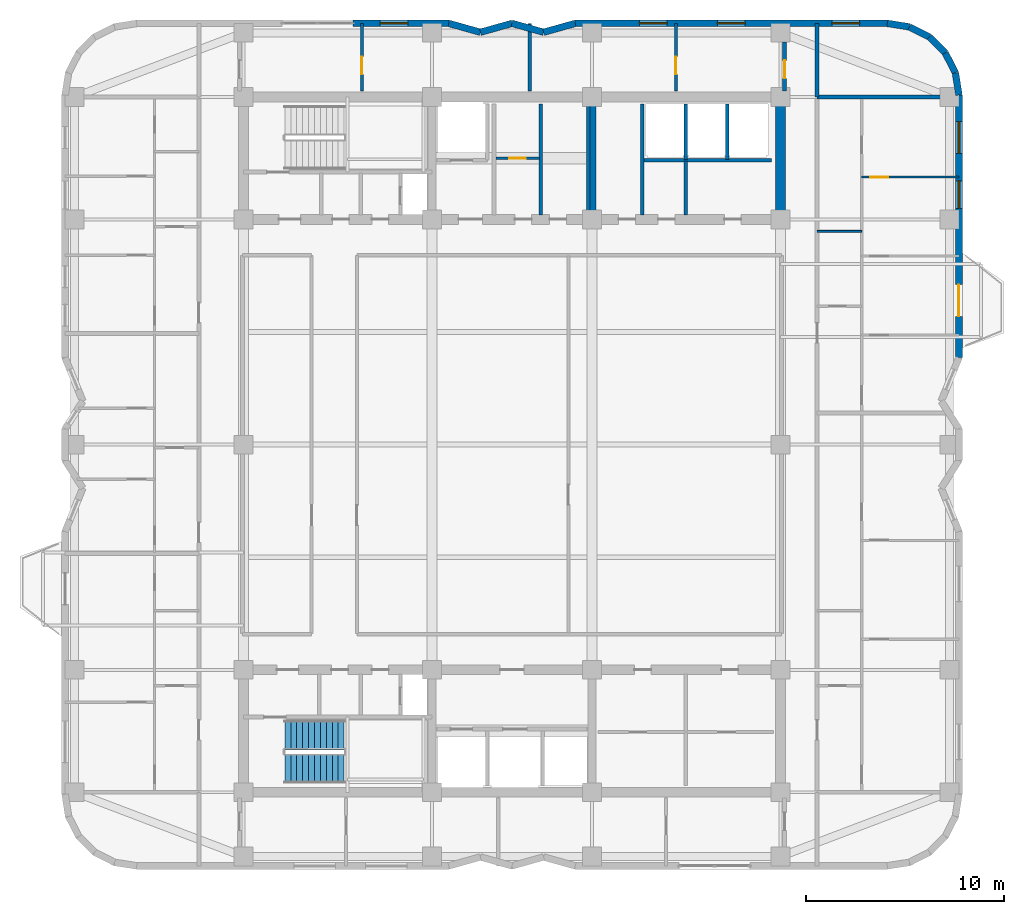
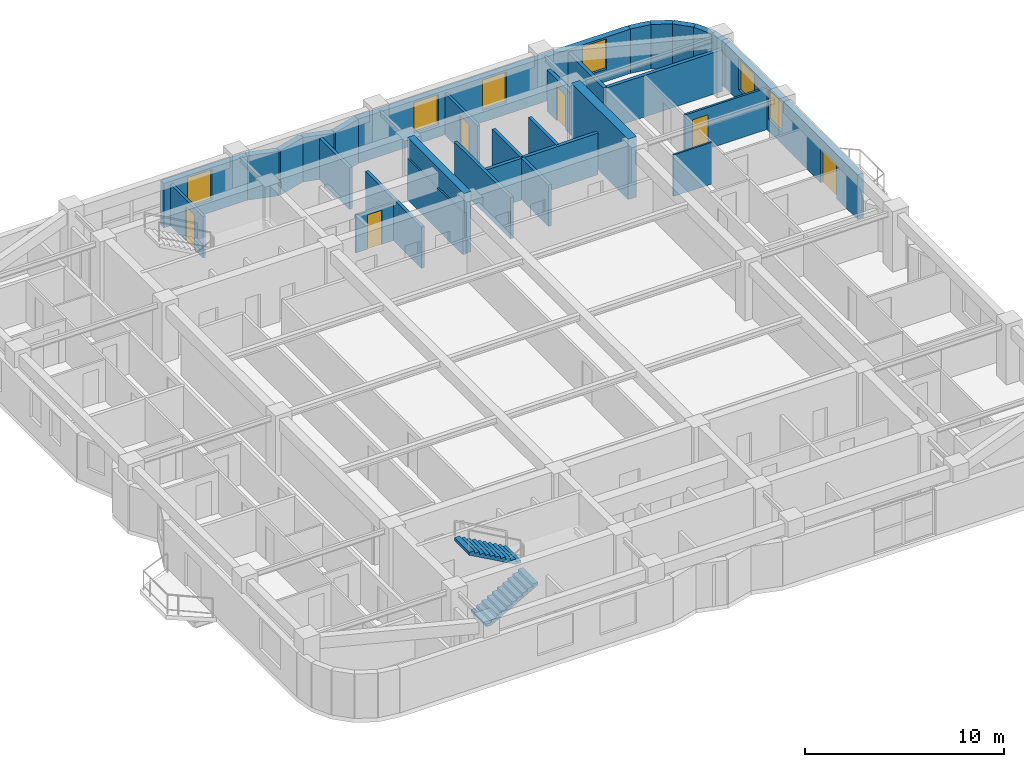
# One storey, part 9 of 12: 30 walls, 6 doors, 6 windows, 2 stair flights, 12 openings, 1 element without a shape of its own.
"""IFC4 building model written with IfcOpenShell, lengths in metres."""

from ifc_helpers import new_model, si_unit, direction, frame, frame_2d, origin, place, context, subcontext, project, spatial, polyline, rectangle, outline, extrude, material, layer, layer_set, type_object, element, fill, aggregate, save


model = new_model("IFC4")

# Units and contexts
model_context = context("Model", 3, precision=1e-05, world=origin(), true_north=direction((0.0, 1.0)))
body_context = subcontext(model_context, "Body", "Model", "MODEL_VIEW")
ifc_project = project(units=[si_unit("LENGTHUNIT", "METRE"), si_unit("AREAUNIT", "SQUARE_METRE"), si_unit("VOLUMEUNIT", "CUBIC_METRE"), si_unit("PLANEANGLEUNIT", "RADIAN"), si_unit("MASSUNIT", "GRAM", prefix="KILO")], contexts=[model_context])

# Site, building, storey
site_placement = place(None, origin())
site = spatial("IfcSite", under=ifc_project, at=site_placement, CompositionType="ELEMENT")
building_placement = place(site_placement, origin())
building = spatial("IfcBuilding", under=site, at=building_placement, Name="Svetorya Sky Lyceum", CompositionType="ELEMENT")
storey_placement = place(building_placement, frame((0.0, 0.0, 158.89990234375)))
storey = spatial("IfcBuildingStorey", under=building, at=storey_placement, Name="L39", CompositionType="ELEMENT", Elevation=158.89990234375)

# Walls
ifc_material_1 = material(Name="Concrete C40/50", Category="concrete")
ifc_layer_1 = layer(ifc_material_1, 0.39990234375)
ifc_layer_set_1 = layer_set([ifc_layer_1], Name="Concrete C40/50")
wall_type_1 = type_object("IfcWallType", Name="WL-CORE-400", PredefinedType="SHEAR", material=ifc_layer_set_1)
wall_1_placement = place(storey_placement, frame((43.25, 39.85009765625, 0.0), z_axis=(0.0, 0.0, 1.0), x_axis=(0.0, 1.0, 0.0)))
element("IfcWall", 1, at=wall_1_placement, inside=storey, type_object=wall_type_1, Name="L39 NC Internal Shear Web WEB2", PredefinedType="SHEAR", context=body_context, shape_type="SweptSolid", body=[
    extrude(rectangle(XDim=5.699951171875, YDim=0.39990234375, at=frame_2d((2.85009765625, 0.0))), origin(), (0.0, 0.0, 1.0), 3.7001953125),
])
ifc_material_2 = material(Name="Concrete C50/60", Category="concrete")
ifc_layer_2 = layer(ifc_material_2, 0.5)
ifc_layer_set_2 = layer_set([ifc_layer_2], Name="Concrete C50/60")
wall_type_2 = type_object("IfcWallType", Name="WL-CORE-500", PredefinedType="SHEAR", material=ifc_layer_set_2)
wall_2_placement = place(storey_placement, frame((52.800048828125, 39.85009765625, 0.0), z_axis=(0.0, 0.0, 1.0), x_axis=(0.0, 1.0, 0.0)))
element("IfcWall", 2, at=wall_2_placement, inside=storey, type_object=wall_type_2, Name="L39 NC East Core Shear Wall", PredefinedType="SHEAR", context=body_context, shape_type="SweptSolid", body=[
    extrude(rectangle(XDim=5.699951171875, YDim=0.5, at=frame_2d((2.85009765625, 0.0))), origin(), (0.0, 0.0, 1.0), 3.7001953125),
])

# Wall, openings, door, windows
ifc_material_3 = material(Name="Putilovo limestone rainscreen on autoclaved cellular masonry", Category="masonry")
ifc_layer_3 = layer(ifc_material_3, 0.340087890625)
ifc_layer_set_3 = layer_set([ifc_layer_3], Name="Putilovo limestone rainscreen on autoclaved cellular masonry")
wall_type_3 = type_object("IfcWallType", Name="WL-EXT-340", PredefinedType="SOLIDWALL", material=ifc_layer_set_3)
wall_3_placement = place(storey_placement, frame((61.830078125, 32.60009765625, 0.0), z_axis=(0.0, 0.0, 1.0), x_axis=(0.0, 1.0, 0.0)))
wall_3 = element("IfcWall", 3, at=wall_3_placement, inside=storey, type_object=wall_type_3, Name="L39 Limestone Exterior Wall 23M", PredefinedType="SOLIDWALL", context=body_context, shape_type="SweptSolid", body=[
    extrude(rectangle(XDim=13.2998046875, YDim=0.340087890625, at=frame_2d((6.64990234375, 0.0))), origin(), (0.0, 0.0, 1.0), 2.72021484375),
])
opening_1_placement = place(wall_3_placement, frame((2.10009765625, 0.0, 0.0)))
opening_1 = element("IfcOpeningElement", 4, at=opening_1_placement, cuts=wall_3, Name="Opening D-BL1", PredefinedType="OPENING", context=body_context, shape_type="SweptSolid", body=[
    extrude(rectangle(XDim=1.60009765625, YDim=2.10009765625, at=frame_2d((0.800048828125, 1.050048828125))), frame((0.0, 0.179931640625, 0.0), z_axis=(0.0, -1.0, 0.0), x_axis=(1.0, 0.0, 0.0)), (0.0, 0.0, 1.0), 0.360107421875),
])
opening_2_placement = place(wall_3_placement, frame((7.56005859375, 0.0, 0.7099609375)))
opening_2 = element("IfcOpeningElement", 5, at=opening_2_placement, cuts=wall_3, Name="Opening W-R2", PredefinedType="OPENING", context=body_context, shape_type="SweptSolid", body=[
    extrude(rectangle(XDim=1.39990234375, YDim=1.85009765625, at=frame_2d((0.699951171875, 0.925048828125))), frame((0.0, 0.179931640625, 0.0), z_axis=(0.0, -1.0, 0.0), x_axis=(1.0, 0.0, 0.0)), (0.0, 0.0, 1.0), 0.360107421875),
])
opening_3_placement = place(wall_3_placement, frame((10.35009765625, 0.0, 0.699951171875)))
opening_3 = element("IfcOpeningElement", 6, at=opening_3_placement, cuts=wall_3, Name="Opening W-R4", PredefinedType="OPENING", context=body_context, shape_type="SweptSolid", body=[
    extrude(rectangle(XDim=1.60009765625, YDim=1.89990234375, at=frame_2d((0.800048828125, 0.949951171875))), frame((0.0, 0.179931640625, 0.0), z_axis=(0.0, -1.0, 0.0), x_axis=(1.0, 0.0, 0.0)), (0.0, 0.0, 1.0), 0.360107421875),
])
ifc_material_4 = material(Name="Insulated glazed aluminium balcony door", Category="aluminium")
door_type_1 = type_object("IfcDoorType", Name="DR-BAL-1600", OperationType="DOUBLE_DOOR_SINGLE_SWING", PredefinedType="DOOR", material=ifc_material_4)
door_1_placement = place(opening_1_placement, origin())
door_1 = element("IfcDoor", 7, at=door_1_placement, inside=storey, type_object=door_type_1, Name="L39 Balcony BAL-E1 Door", OperationType="DOUBLE_DOOR_SINGLE_SWING", OverallHeight=2.10009765625, OverallWidth=1.60009765625, PredefinedType="DOOR", context=body_context, shape_type="SweptSolid", body=[
    extrude(rectangle(XDim=1.60009765625, YDim=2.10009765625, at=frame_2d((0.800048828125, 1.050048828125))), frame((0.0, 0.02490234375, 0.0), z_axis=(0.0, -1.0, 0.0), x_axis=(1.0, 0.0, 0.0)), (0.0, 0.0, 1.0), 0.050048828125),
])
fill(opening_1, door_1)
ifc_material_5 = material(Name="Thermally broken aluminium frame with triple low-E glazing", Category="aluminium")
window_type_1 = type_object("IfcWindowType", Name="WN-RES-140", PartitioningType="SINGLE_PANEL", PredefinedType="WINDOW", material=ifc_material_5)
window_1_placement = place(opening_2_placement, origin())
window_1 = element("IfcWindow", 8, at=window_1_placement, inside=storey, type_object=window_type_1, Name="L39 Facade Window W-R2.23M.2", OverallHeight=1.85009765625, OverallWidth=1.39990234375, PartitioningType="SINGLE_PANEL", PredefinedType="WINDOW", context=body_context, shape_type="SweptSolid", body=[
    extrude(rectangle(XDim=1.39990234375, YDim=1.85009765625, at=frame_2d((0.699951171875, 0.925048828125))), frame((0.0, 0.030029296875, 0.0), z_axis=(0.0, -1.0, 0.0), x_axis=(1.0, 0.0, 0.0)), (0.0, 0.0, 1.0), 0.06005859375),
])
fill(opening_2, window_1)
window_type_2 = type_object("IfcWindowType", Name="WN-RES-160", PartitioningType="DOUBLE_PANEL_VERTICAL", PredefinedType="WINDOW", material=ifc_material_5)
window_2_placement = place(opening_3_placement, origin())
window_2 = element("IfcWindow", 9, at=window_2_placement, inside=storey, type_object=window_type_2, Name="L39 Facade Window W-R4.23M.1", OverallHeight=1.89990234375, OverallWidth=1.60009765625, PartitioningType="SINGLE_PANEL", PredefinedType="WINDOW", context=body_context, shape_type="SweptSolid", body=[
    extrude(rectangle(XDim=1.60009765625, YDim=1.89990234375, at=frame_2d((0.800048828125, 0.949951171875))), frame((0.0, 0.030029296875, 0.0), z_axis=(0.0, -1.0, 0.0), x_axis=(1.0, 0.0, 0.0)), (0.0, 0.0, 1.0), 0.06005859375),
])
fill(opening_3, window_2)

# Walls
for number, where, z_axis, x_axis, name in (
    (10, (61.830078125, 45.89990234375, 0.0), (0.0, 0.0, 1.0), (-0.156481329164, 0.987680916907, 0.0), "L39 Limestone Exterior Wall 24M"),
    (11, (61.65234375, 47.021728515625, 0.0), (0.0, 0.0, 1.0), (-0.453993402883, 0.891005044957, 0.0), "L39 Limestone Exterior Wall 25M"),
):
    element("IfcWall", number, at=place(storey_placement, frame(where, z_axis=z_axis, x_axis=x_axis)), inside=storey, type_object=wall_type_3, Name=name, PredefinedType="SOLIDWALL", context=body_context, shape_type="SweptSolid", body=[
        extrude(rectangle(XDim=1.1357421875, YDim=0.340087890625, at=frame_2d((0.56787109375, 0.0))), origin(), (0.0, 0.0, 1.0), 2.72021484375),
    ])
wall_4_placement = place(storey_placement, frame((61.13671875, 48.03369140625, 0.0), z_axis=(0.0, 0.0, 1.0), x_axis=(-0.707106781187, 0.707106781187, 0.0)))
element("IfcWall", 12, at=wall_4_placement, inside=storey, type_object=wall_type_3, Name="L39 Limestone Exterior Wall 26M", PredefinedType="SOLIDWALL", context=body_context, shape_type="SweptSolid", body=[
    extrude(rectangle(XDim=1.135498046875, YDim=0.340087890625, at=frame_2d((0.56787109375, 0.0))), origin(), (0.0, 0.0, 1.0), 2.72021484375),
])
for number, where, z_axis, x_axis, name in (
    (13, (60.333740234375, 48.836669921875, 0.0), (0.0, 0.0, 1.0), (-0.891005044957, 0.453993402883, 0.0), "L39 Limestone Exterior Wall 27M"),
    (14, (59.32177734375, 49.352294921875, 0.0), (0.0, 0.0, 1.0), (-0.987680916907, 0.156481329164, 0.0), "L39 Limestone Exterior Wall 28M"),
):
    element("IfcWall", number, at=place(storey_placement, frame(where, z_axis=z_axis, x_axis=x_axis)), inside=storey, type_object=wall_type_3, Name=name, PredefinedType="SOLIDWALL", context=body_context, shape_type="SweptSolid", body=[
        extrude(rectangle(XDim=1.1357421875, YDim=0.340087890625, at=frame_2d((0.56787109375, 0.0))), origin(), (0.0, 0.0, 1.0), 2.72021484375),
    ])

# Wall, openings, windows
wall_5_placement = place(storey_placement, frame((58.199951171875, 49.530029296875, 0.0), z_axis=(0.0, 0.0, 1.0), x_axis=(-1.0, 0.0, 0.0)))
wall_5 = element("IfcWall", 15, at=wall_5_placement, inside=storey, type_object=wall_type_3, Name="L39 Limestone Exterior Wall 29M", PredefinedType="SOLIDWALL", context=body_context, shape_type="SweptSolid", body=[
    extrude(rectangle(XDim=15.800048828125, YDim=0.340087890625, at=frame_2d((7.89990234375, 0.0))), origin(), (0.0, 0.0, 1.0), 2.72021484375),
])
opening_4_placement = place(wall_5_placement, frame((1.39990234375, 0.0, 0.75)))
opening_4 = element("IfcOpeningElement", 16, at=opening_4_placement, cuts=wall_5, Name="Opening W-R2", PredefinedType="OPENING", context=body_context, shape_type="SweptSolid", body=[
    extrude(rectangle(XDim=1.39990234375, YDim=1.85009765625, at=frame_2d((0.699951171875, 0.925048828125))), frame((0.0, 0.179931640625, 0.0), z_axis=(0.0, -1.0, 0.0), x_axis=(1.0, 0.0, 0.0)), (0.0, 0.0, 1.0), 0.360107421875),
])
opening_5_placement = place(wall_5_placement, frame((7.199951171875, 0.0, 0.75)))
opening_5 = element("IfcOpeningElement", 17, at=opening_5_placement, cuts=wall_5, Name="Opening W-R2", PredefinedType="OPENING", context=body_context, shape_type="SweptSolid", body=[
    extrude(rectangle(XDim=1.39990234375, YDim=1.85009765625, at=frame_2d((0.699951171875, 0.925048828125))), frame((0.0, 0.179931640625, 0.0), z_axis=(0.0, -1.0, 0.0), x_axis=(1.0, 0.0, 0.0)), (0.0, 0.0, 1.0), 0.360107421875),
])
opening_6_placement = place(wall_5_placement, frame((11.14990234375, 0.0, 0.75)))
opening_6 = element("IfcOpeningElement", 18, at=opening_6_placement, cuts=wall_5, Name="Opening W-R2", PredefinedType="OPENING", context=body_context, shape_type="SweptSolid", body=[
    extrude(rectangle(XDim=1.39990234375, YDim=1.85009765625, at=frame_2d((0.699951171875, 0.925048828125))), frame((0.0, 0.179931640625, 0.0), z_axis=(0.0, -1.0, 0.0), x_axis=(1.0, 0.0, 0.0)), (0.0, 0.0, 1.0), 0.360107421875),
])
window_3_placement = place(opening_4_placement, origin())
window_3 = element("IfcWindow", 19, at=window_3_placement, inside=storey, type_object=window_type_1, Name="L39 Facade Window W-R2.29M.1", OverallHeight=1.85009765625, OverallWidth=1.39990234375, PartitioningType="SINGLE_PANEL", PredefinedType="WINDOW", context=body_context, shape_type="SweptSolid", body=[
    extrude(rectangle(XDim=1.39990234375, YDim=1.85009765625, at=frame_2d((0.699951171875, 0.925048828125))), frame((0.0, 0.030029296875, 0.0), z_axis=(0.0, -1.0, 0.0), x_axis=(1.0, 0.0, 0.0)), (0.0, 0.0, 1.0), 0.06005859375),
])
fill(opening_4, window_3)
window_4_placement = place(opening_5_placement, origin())
window_4 = element("IfcWindow", 20, at=window_4_placement, inside=storey, type_object=window_type_1, Name="L39 Facade Window W-R2.29M.2", OverallHeight=1.85009765625, OverallWidth=1.39990234375, PartitioningType="SINGLE_PANEL", PredefinedType="WINDOW", context=body_context, shape_type="SweptSolid", body=[
    extrude(rectangle(XDim=1.39990234375, YDim=1.85009765625, at=frame_2d((0.699951171875, 0.925048828125))), frame((0.0, 0.030029296875, 0.0), z_axis=(0.0, -1.0, 0.0), x_axis=(1.0, 0.0, 0.0)), (0.0, 0.0, 1.0), 0.06005859375),
])
fill(opening_5, window_4)
window_5_placement = place(opening_6_placement, origin())
window_5 = element("IfcWindow", 21, at=window_5_placement, inside=storey, type_object=window_type_1, Name="L39 Facade Window W-R2.29M.3", OverallHeight=1.85009765625, OverallWidth=1.39990234375, PartitioningType="SINGLE_PANEL", PredefinedType="WINDOW", context=body_context, shape_type="SweptSolid", body=[
    extrude(rectangle(XDim=1.39990234375, YDim=1.85009765625, at=frame_2d((0.699951171875, 0.925048828125))), frame((0.0, 0.030029296875, 0.0), z_axis=(0.0, -1.0, 0.0), x_axis=(1.0, 0.0, 0.0)), (0.0, 0.0, 1.0), 0.06005859375),
])
fill(opening_6, window_5)

# Walls
wall_6_placement = place(storey_placement, frame((42.39990234375, 49.530029296875, 0.0), z_axis=(0.0, 0.0, 1.0), x_axis=(-0.962652136636, -0.270741322725, 0.0)))
element("IfcWall", 22, at=wall_6_placement, inside=storey, type_object=wall_type_3, Name="L39 Limestone Exterior Wall 30M", PredefinedType="SOLIDWALL", context=body_context, shape_type="SweptSolid", body=[
    extrude(rectangle(XDim=1.661865234375, YDim=0.340087890625, at=frame_2d((0.8310546875, 0.0))), origin(), (0.0, 0.0, 1.0), 2.72021484375),
])
wall_7_placement = place(storey_placement, frame((40.800048828125, 49.080078125, 0.0), z_axis=(0.0, 0.0, 1.0), x_axis=(-0.962662902433, 0.270703040766, 0.0)))
element("IfcWall", 23, at=wall_7_placement, inside=storey, type_object=wall_type_3, Name="L39 Limestone Exterior Wall 31M", PredefinedType="SOLIDWALL", context=body_context, shape_type="SweptSolid", body=[
    extrude(rectangle(XDim=1.662109375, YDim=0.340087890625, at=frame_2d((0.8310546875, 0.0))), origin(), (0.0, 0.0, 1.0), 2.72021484375),
])
wall_8_placement = place(storey_placement, frame((39.199951171875, 49.530029296875, 0.0), z_axis=(0.0, 0.0, 1.0), x_axis=(-0.962652136636, -0.270741322725, 0.0)))
element("IfcWall", 24, at=wall_8_placement, inside=storey, type_object=wall_type_3, Name="L39 Limestone Exterior Wall 32M", PredefinedType="SOLIDWALL", context=body_context, shape_type="SweptSolid", body=[
    extrude(rectangle(XDim=1.661865234375, YDim=0.340087890625, at=frame_2d((0.8310546875, 0.0))), origin(), (0.0, 0.0, 1.0), 2.72021484375),
])
wall_9_placement = place(storey_placement, frame((37.60009765625, 49.080078125, 0.0), z_axis=(0.0, 0.0, 1.0), x_axis=(-0.962662902433, 0.270703040766, 0.0)))
element("IfcWall", 25, at=wall_9_placement, inside=storey, type_object=wall_type_3, Name="L39 Limestone Exterior Wall 33M", PredefinedType="SOLIDWALL", context=body_context, shape_type="SweptSolid", body=[
    extrude(rectangle(XDim=1.662109375, YDim=0.340087890625, at=frame_2d((0.8310546875, 0.0))), origin(), (0.0, 0.0, 1.0), 2.72021484375),
])

# Wall, opening, window
wall_10_placement = place(storey_placement, frame((36.0, 49.530029296875, 0.0), z_axis=(0.0, 0.0, 1.0), x_axis=(-1.0, 0.0, 0.0)))
wall_10 = element("IfcWall", 26, at=wall_10_placement, inside=storey, type_object=wall_type_3, Name="L39 Limestone Exterior Wall 34A", PredefinedType="SOLIDWALL", context=body_context, shape_type="SweptSolid", body=[
    extrude(rectangle(XDim=4.85009765625, YDim=0.340087890625, at=frame_2d((2.425048828125, 0.0))), origin(), (0.0, 0.0, 1.0), 2.72021484375),
])
opening_7_placement = place(wall_10_placement, frame((2.074951171875, 0.0, 0.75)))
opening_7 = element("IfcOpeningElement", 27, at=opening_7_placement, cuts=wall_10, Name="Opening W-R2", PredefinedType="OPENING", context=body_context, shape_type="SweptSolid", body=[
    extrude(rectangle(XDim=1.39990234375, YDim=1.85009765625, at=frame_2d((0.699951171875, 0.925048828125))), frame((0.0, 0.179931640625, 0.0), z_axis=(0.0, -1.0, 0.0), x_axis=(1.0, 0.0, 0.0)), (0.0, 0.0, 1.0), 0.360107421875),
])
window_6_placement = place(opening_7_placement, origin())
window_6 = element("IfcWindow", 28, at=window_6_placement, inside=storey, type_object=window_type_1, Name="L39 Facade Window W-R2.34A.1", OverallHeight=1.85009765625, OverallWidth=1.39990234375, PartitioningType="SINGLE_PANEL", PredefinedType="WINDOW", context=body_context, shape_type="SweptSolid", body=[
    extrude(rectangle(XDim=1.39990234375, YDim=1.85009765625, at=frame_2d((0.699951171875, 0.925048828125))), frame((0.0, 0.030029296875, 0.0), z_axis=(0.0, -1.0, 0.0), x_axis=(1.0, 0.0, 0.0)), (0.0, 0.0, 1.0), 0.06005859375),
])
fill(opening_7, window_6)

# Wall
ifc_material_6 = material(Name="Galvanized stud partition with moisture-resistant board", Category="gypsum")
ifc_layer_4 = layer(ifc_material_6, 0.10009765625)
ifc_layer_set_4 = layer_set([ifc_layer_4], Name="Galvanized stud partition with moisture-resistant board")
wall_type_4 = type_object("IfcWallType", Name="WL-PART-100", PredefinedType="PARTITIONING", material=ifc_layer_set_4)
wall_11_placement = place(storey_placement, frame((54.64990234375, 39.0, 0.0), z_axis=(0.0, 0.0, 1.0), x_axis=(1.0, 0.0, 0.0)))
element("IfcWall", 29, at=wall_11_placement, inside=storey, type_object=wall_type_4, Name="L39 Interior Partition E2-WH2", PredefinedType="PARTITIONING", context=body_context, shape_type="SweptSolid", body=[
    extrude(rectangle(XDim=2.25, YDim=0.10009765625, at=frame_2d((1.125, 0.0))), origin(), (0.0, 0.0, 1.0), 2.550048828125),
])

# Wall, opening, door
ifc_material_7 = material(Name="Twin-stud galvanized framing with double fireboard", Category="gypsum")
ifc_layer_5 = layer(ifc_material_7, 0.1201171875)
ifc_layer_set_5 = layer_set([ifc_layer_5], Name="Twin-stud galvanized framing with double fireboard")
wall_type_5 = type_object("IfcWallType", Name="WL-PART-120", PredefinedType="PARTITIONING", material=ifc_layer_set_5)
wall_12_placement = place(storey_placement, frame((38.39990234375, 42.699951171875, 0.0), z_axis=(0.0, 0.0, 1.0), x_axis=(1.0, 0.0, 0.0)))
wall_12 = element("IfcWall", 30, at=wall_12_placement, inside=storey, type_object=wall_type_5, Name="L39 Interior Partition NC-FPM-H", PredefinedType="PARTITIONING", context=body_context, shape_type="SweptSolid", body=[
    extrude(rectangle(XDim=2.2001953125, YDim=0.1201171875, at=frame_2d((1.10009765625, 0.0))), origin(), (0.0, 0.0, 1.0), 2.320068359375),
])
opening_8_placement = place(wall_12_placement, frame((0.64990234375, 0.0, 0.0)))
opening_8 = element("IfcOpeningElement", 31, at=opening_8_placement, cuts=wall_12, Name="Opening D-CWC1", PredefinedType="OPENING", context=body_context, shape_type="SweptSolid", body=[
    extrude(rectangle(XDim=0.85009765625, YDim=2.10009765625, at=frame_2d((0.425048828125, 1.050048828125))), frame((0.0, 0.070068359375, 0.0), z_axis=(0.0, -1.0, 0.0), x_axis=(1.0, 0.0, 0.0)), (0.0, 0.0, 1.0), 0.14013671875),
])
ifc_material_8 = material(Name="Fire-rated galvanized steel core service closet door", Category="steel")
door_type_2 = type_object("IfcDoorType", Name="DR-CWET-850", OperationType="SINGLE_SWING_LEFT", PredefinedType="DOOR", material=ifc_material_8)
door_2_placement = place(opening_8_placement, origin())
door_2 = element("IfcDoor", 32, at=door_2_placement, inside=storey, type_object=door_type_2, Name="L39 Rear IT Closet Door", OperationType="SINGLE_SWING_LEFT", OverallHeight=2.10009765625, OverallWidth=0.85009765625, PredefinedType="DOOR", context=body_context, shape_type="SweptSolid", body=[
    extrude(rectangle(XDim=0.85009765625, YDim=2.10009765625, at=frame_2d((0.425048828125, 1.050048828125))), frame((0.0, 0.02490234375, 0.0), z_axis=(0.0, -1.0, 0.0), x_axis=(1.0, 0.0, 0.0)), (0.0, 0.0, 1.0), 0.050048828125),
])
fill(opening_8, door_2)

wall_13_placement = place(storey_placement, frame((56.89990234375, 41.75, 0.0), z_axis=(0.0, 0.0, 1.0), x_axis=(1.0, 0.0, 0.0)))
wall_13 = element("IfcWall", 33, at=wall_13_placement, inside=storey, type_object=wall_type_5, Name="L39 Interior Partition E2-WL3", PredefinedType="PARTITIONING", context=body_context, shape_type="SweptSolid", body=[
    extrude(rectangle(XDim=4.93017578125, YDim=0.1201171875, at=frame_2d((2.465087890625, 0.0))), origin(), (0.0, 0.0, 1.0), 2.550048828125),
])
opening_9_placement = place(wall_13_placement, frame((0.449951171875, 0.0, 0.0)))
opening_9 = element("IfcOpeningElement", 34, at=opening_9_placement, cuts=wall_13, Name="Opening D-RM1", PredefinedType="OPENING", context=body_context, shape_type="SweptSolid", body=[
    extrude(rectangle(XDim=0.89990234375, YDim=2.10009765625, at=frame_2d((0.449951171875, 1.050048828125))), frame((0.0, 0.070068359375, 0.0), z_axis=(0.0, -1.0, 0.0), x_axis=(1.0, 0.0, 0.0)), (0.0, 0.0, 1.0), 0.14013671875),
])
ifc_material_9 = material(Name="Lacquered birch veneer internal door")
door_type_3 = type_object("IfcDoorType", Name="DR-INT-900", OperationType="SINGLE_SWING_LEFT", PredefinedType="DOOR", material=ifc_material_9)
door_3_placement = place(opening_9_placement, origin())
door_3 = element("IfcDoor", 35, at=door_3_placement, inside=storey, type_object=door_type_3, Name="Apartment E2 Bedroom 3 Door", OperationType="SINGLE_SWING_LEFT", OverallHeight=2.10009765625, OverallWidth=0.89990234375, PredefinedType="DOOR", context=body_context, shape_type="SweptSolid", body=[
    extrude(rectangle(XDim=0.89990234375, YDim=2.10009765625, at=frame_2d((0.449951171875, 1.050048828125))), frame((0.0, 0.02490234375, 0.0), z_axis=(0.0, -1.0, 0.0), x_axis=(1.0, 0.0, 0.0)), (0.0, 0.0, 1.0), 0.050048828125),
])
fill(opening_9, door_3)

ifc_material_10 = material(Name="Autoclaved cellular masonry blockwork with acoustic render", Category="masonry")
ifc_layer_6 = layer(ifc_material_10, 0.14990234375)
ifc_layer_set_6 = layer_set([ifc_layer_6], Name="Autoclaved cellular masonry blockwork with acoustic render")
wall_type_6 = type_object("IfcWallType", Name="WL-PART-150", PredefinedType="PARTITIONING", material=ifc_layer_set_6)
wall_14_placement = place(storey_placement, frame((31.60009765625, 46.10009765625, 0.0), z_axis=(0.0, 0.0, 1.0), x_axis=(0.0, 1.0, 0.0)))
wall_14 = element("IfcWall", 36, at=wall_14_placement, inside=storey, type_object=wall_type_6, Name="L39 Interior Partition N4-D1", PredefinedType="PARTITIONING", context=body_context, shape_type="SweptSolid", body=[
    extrude(rectangle(XDim=3.429931640625, YDim=0.14990234375, at=frame_2d((1.71484375, 0.0))), origin(), (0.0, 0.0, 1.0), 2.550048828125),
])
opening_10_placement = place(wall_14_placement, frame((0.85009765625, 0.0, 0.0)))
opening_10 = element("IfcOpeningElement", 37, at=opening_10_placement, cuts=wall_14, Name="Opening D-RM1", PredefinedType="OPENING", context=body_context, shape_type="SweptSolid", body=[
    extrude(rectangle(XDim=0.89990234375, YDim=2.10009765625, at=frame_2d((0.449951171875, 1.050048828125))), frame((0.0, 0.0849609375, 0.0), z_axis=(0.0, -1.0, 0.0), x_axis=(1.0, 0.0, 0.0)), (0.0, 0.0, 1.0), 0.169921875),
])
door_4_placement = place(opening_10_placement, origin())
door_4 = element("IfcDoor", 38, at=door_4_placement, inside=storey, type_object=door_type_3, Name="L39 North Suite Door 1", OperationType="SINGLE_SWING_RIGHT", OverallHeight=2.10009765625, OverallWidth=0.89990234375, PredefinedType="DOOR", context=body_context, shape_type="SweptSolid", body=[
    extrude(rectangle(XDim=0.89990234375, YDim=2.10009765625, at=frame_2d((0.449951171875, 1.050048828125))), frame((0.0, 0.02490234375, 0.0), z_axis=(0.0, -1.0, 0.0), x_axis=(1.0, 0.0, 0.0)), (0.0, 0.0, 1.0), 0.050048828125),
])
fill(opening_10, door_4)

wall_15_placement = place(storey_placement, frame((47.5, 46.10009765625, 0.0), z_axis=(0.0, 0.0, 1.0), x_axis=(0.0, 1.0, 0.0)))
wall_15 = element("IfcWall", 39, at=wall_15_placement, inside=storey, type_object=wall_type_6, Name="L39 Interior Partition N4-D3", PredefinedType="PARTITIONING", context=body_context, shape_type="SweptSolid", body=[
    extrude(rectangle(XDim=3.429931640625, YDim=0.14990234375, at=frame_2d((1.71484375, 0.0))), origin(), (0.0, 0.0, 1.0), 2.550048828125),
])
opening_11_placement = place(wall_15_placement, frame((0.85009765625, 0.0, 0.0)))
opening_11 = element("IfcOpeningElement", 40, at=opening_11_placement, cuts=wall_15, Name="Opening D-RM1", PredefinedType="OPENING", context=body_context, shape_type="SweptSolid", body=[
    extrude(rectangle(XDim=0.89990234375, YDim=2.10009765625, at=frame_2d((0.449951171875, 1.050048828125))), frame((0.0, 0.0849609375, 0.0), z_axis=(0.0, -1.0, 0.0), x_axis=(1.0, 0.0, 0.0)), (0.0, 0.0, 1.0), 0.169921875),
])
door_5_placement = place(opening_11_placement, origin())
door_5 = element("IfcDoor", 41, at=door_5_placement, inside=storey, type_object=door_type_3, Name="L39 North Suite Door 3", OperationType="SINGLE_SWING_RIGHT", OverallHeight=2.10009765625, OverallWidth=0.89990234375, PredefinedType="DOOR", context=body_context, shape_type="SweptSolid", body=[
    extrude(rectangle(XDim=0.89990234375, YDim=2.10009765625, at=frame_2d((0.449951171875, 1.050048828125))), frame((0.0, 0.02490234375, 0.0), z_axis=(0.0, -1.0, 0.0), x_axis=(1.0, 0.0, 0.0)), (0.0, 0.0, 1.0), 0.050048828125),
])
fill(opening_11, door_5)

# Walls
ifc_material_11 = material(Name="Autoclaved cellular masonry blockwork with fire render", Category="masonry")
ifc_layer_7 = layer(ifc_material_11, 0.175048828125)
ifc_layer_set_7 = layer_set([ifc_layer_7], Name="Autoclaved cellular masonry blockwork with fire render")
wall_type_7 = type_object("IfcWallType", Name="WL-PART-175", PredefinedType="PARTITIONING", material=ifc_layer_set_7)
for number, where, z_axis, x_axis, name in (
    (42, (43.050048828125, 39.820068359375, 0.0), (0.0, 0.0, 1.0), (0.0, 1.0, 0.0), "L39 Interior Partition NC-FPM-END"),
    (43, (40.64990234375, 39.820068359375, 0.0), (0.0, 0.0, 1.0), (0.0, 1.0, 0.0), "L39 Interior Partition NC-FPM-V"),
    (44, (45.800048828125, 39.820068359375, 0.0), (0.0, 0.0, 1.0), (0.0, 1.0, 0.0), "L39 Interior Partition NC-PM3-FULL"),
):
    element("IfcWall", number, at=place(storey_placement, frame(where, z_axis=z_axis, x_axis=x_axis)), inside=storey, type_object=wall_type_7, Name=name, PredefinedType="PARTITIONING", context=body_context, shape_type="SweptSolid", body=[
        extrude(rectangle(XDim=5.6298828125, YDim=0.175048828125, at=frame_2d((2.81494140625, 0.0))), origin(), (0.0, 0.0, 1.0), 2.550048828125),
    ])
for number, where, z_axis, x_axis, name in (
    (45, (48.0, 42.64990234375, 0.0), (0.0, 0.0, 1.0), (0.0, 1.0, 0.0), "L39 Interior Partition NC-PH-D1"),
    (46, (50.10009765625, 42.64990234375, 0.0), (0.0, 0.0, 1.0), (0.0, 1.0, 0.0), "L39 Interior Partition NC-PH-D2"),
):
    element("IfcWall", number, at=place(storey_placement, frame(where, z_axis=z_axis, x_axis=x_axis)), inside=storey, type_object=wall_type_7, Name=name, PredefinedType="PARTITIONING", context=body_context, shape_type="SweptSolid", body=[
        extrude(rectangle(XDim=2.800048828125, YDim=0.175048828125, at=frame_2d((1.39990234375, 0.0))), origin(), (0.0, 0.0, 1.0), 2.550048828125),
    ])
wall_16_placement = place(storey_placement, frame((48.0, 39.820068359375, 0.0), z_axis=(0.0, 0.0, 1.0), x_axis=(0.0, 1.0, 0.0)))
element("IfcWall", 47, at=wall_16_placement, inside=storey, type_object=wall_type_7, Name="L39 Interior Partition NC-ED1", PredefinedType="PARTITIONING", context=body_context, shape_type="SweptSolid", body=[
    extrude(rectangle(XDim=2.72998046875, YDim=0.175048828125, at=frame_2d((1.364990234375, 0.0))), origin(), (0.0, 0.0, 1.0), 2.550048828125),
])
wall_17_placement = place(storey_placement, frame((40.10009765625, 46.10009765625, 0.0), z_axis=(0.0, 0.0, 1.0), x_axis=(0.0, 1.0, 0.0)))
element("IfcWall", 48, at=wall_17_placement, inside=storey, type_object=wall_type_7, Name="L39 Interior Partition N4-D2", PredefinedType="PARTITIONING", context=body_context, shape_type="SweptSolid", body=[
    extrude(rectangle(XDim=3.429931640625, YDim=0.175048828125, at=frame_2d((1.71484375, 0.0))), origin(), (0.0, 0.0, 1.0), 2.550048828125),
])
ifc_material_12 = material(Name="Autoclaved cellular masonry blockwork with gypsum plaster", Category="masonry")
ifc_layer_8 = layer(ifc_material_12, 0.199951171875)
ifc_layer_set_8 = layer_set([ifc_layer_8], Name="Autoclaved cellular masonry blockwork with gypsum plaster")
wall_type_8 = type_object("IfcWallType", Name="WL-PART-200", PredefinedType="PARTITIONING", material=ifc_layer_set_8)
wall_18_placement = place(storey_placement, frame((52.35009765625, 42.60009765625, 0.0), z_axis=(0.0, 0.0, 1.0), x_axis=(-1.0, 0.0, 0.0)))
element("IfcWall", 49, at=wall_18_placement, inside=storey, type_object=wall_type_8, Name="L39 Interior Partition NC-PHEW", PredefinedType="PARTITIONING", context=body_context, shape_type="SweptSolid", body=[
    extrude(rectangle(XDim=6.5, YDim=0.199951171875, at=frame_2d((3.25, 0.0))), origin(), (0.0, 0.0, 1.0), 2.550048828125),
])
wall_19_placement = place(storey_placement, frame((54.64990234375, 45.800048828125, 0.0), z_axis=(0.0, 0.0, 1.0), x_axis=(1.0, 0.0, 0.0)))
element("IfcWall", 50, at=wall_19_placement, inside=storey, type_object=wall_type_8, Name="L39 Interior Partition E-CAP-N", PredefinedType="PARTITIONING", context=body_context, shape_type="SweptSolid", body=[
    extrude(rectangle(XDim=6.760009765625, YDim=0.199951171875, at=frame_2d((3.3798828125, 0.0))), origin(), (0.0, 0.0, 1.0), 2.550048828125),
])
wall_20_placement = place(storey_placement, frame((54.64990234375, 45.800048828125, 0.0), z_axis=(0.0, 0.0, 1.0), x_axis=(0.0, 1.0, 0.0)))
element("IfcWall", 51, at=wall_20_placement, inside=storey, type_object=wall_type_8, Name="L39 Interior Partition EC-NE-END", PredefinedType="PARTITIONING", context=body_context, shape_type="SweptSolid", body=[
    extrude(rectangle(XDim=3.72998046875, YDim=0.199951171875, at=frame_2d((1.864990234375, 0.0))), origin(), (0.0, 0.0, 1.0), 2.550048828125),
])

# Wall, opening, door
wall_21_placement = place(storey_placement, frame((53.0, 46.10009765625, 0.0), z_axis=(0.0, 0.0, 1.0), x_axis=(0.0, 1.0, 0.0)))
wall_21 = element("IfcWall", 52, at=wall_21_placement, inside=storey, type_object=wall_type_8, Name="L39 Interior Partition N4-EE", PredefinedType="PARTITIONING", context=body_context, shape_type="SweptSolid", body=[
    extrude(rectangle(XDim=2.47998046875, YDim=0.199951171875, at=frame_2d((1.239990234375, 0.0))), origin(), (0.0, 0.0, 1.0), 2.550048828125),
])
opening_12_placement = place(wall_21_placement, frame((0.64990234375, 0.0, 0.0)))
opening_12 = element("IfcOpeningElement", 53, at=opening_12_placement, cuts=wall_21, Name="Opening D-RM1", PredefinedType="OPENING", context=body_context, shape_type="SweptSolid", body=[
    extrude(rectangle(XDim=0.89990234375, YDim=2.10009765625, at=frame_2d((0.449951171875, 1.050048828125))), frame((0.0, 0.10986328125, 0.0), z_axis=(0.0, -1.0, 0.0), x_axis=(1.0, 0.0, 0.0)), (0.0, 0.0, 1.0), 0.219970703125),
])
door_6_placement = place(opening_12_placement, origin())
door_6 = element("IfcDoor", 54, at=door_6_placement, inside=storey, type_object=door_type_3, Name="L39 NE Office Door", OperationType="SINGLE_SWING_LEFT", OverallHeight=2.10009765625, OverallWidth=0.89990234375, PredefinedType="DOOR", context=body_context, shape_type="SweptSolid", body=[
    extrude(rectangle(XDim=0.89990234375, YDim=2.10009765625, at=frame_2d((0.449951171875, 1.050048828125))), frame((0.0, 0.02490234375, 0.0), z_axis=(0.0, -1.0, 0.0), x_axis=(1.0, 0.0, 0.0)), (0.0, 0.0, 1.0), 0.050048828125),
])
fill(opening_12, door_6)

# Stair, stair flights
stair_type = type_object("IfcStairType", Name="STR-ST-S", PredefinedType="HALF_TURN_STAIR", material=ifc_material_1)
stair_placement = place(storey_placement, origin())
stair = element("IfcStair", 55, at=stair_placement, inside=storey, type_object=stair_type, Name="L39 South Core Smoke-Free Exit Stair N2", PredefinedType="HALF_TURN_STAIR")
stair_flight_type = type_object("IfcStairFlightType", Name="SFL-ST-S", PredefinedType="STRAIGHT", material=ifc_material_1)
stair_flight_1_placement = place(storey_placement, frame((27.699951171875, 11.800048828125, 0.0), z_axis=(0.0, 0.0, 1.0), x_axis=(1.0, 0.0, 0.0)))
stair_flight_1 = element("IfcStairFlight", 56, at=stair_flight_1_placement, type_object=stair_flight_type, Name="ST-S flight 1", NumberOfRisers=11, NumberOfTreads=10, PredefinedType="STRAIGHT", RiserHeight=0.168181818, TreadLength=0.3, context=body_context, shape_type="SweptSolid", body=[
    extrude(outline(polyline([(0.0, 0.0), (0.0, 0.168212890625), (0.300048828125, 0.168212890625), (0.300048828125, 0.33642578125), (0.60009765625, 0.33642578125), (0.60009765625, 0.504638671875), (0.89990234375, 0.504638671875), (0.89990234375, 0.672607421875), (1.199951171875, 0.672607421875), (1.199951171875, 0.8408203125), (1.5, 0.8408203125), (1.5, 1.009033203125), (1.800048828125, 1.009033203125), (1.800048828125, 1.17724609375), (2.10009765625, 1.17724609375), (2.10009765625, 1.345458984375), (2.39990234375, 1.345458984375), (2.39990234375, 1.513671875), (2.699951171875, 1.513671875), (2.699951171875, 1.681884765625), (3.0, 1.681884765625), (3.0, 1.85009765625), (3.0, 1.510009765625), (0.306640625, 0.0), (0.0, 0.0)])), frame((0.0, 0.75, 0.0), z_axis=(0.0, -1.0, 0.0), x_axis=(1.0, 0.0, 0.0)), (0.0, 0.0, 1.0), 1.5),
])
stair_flight_2_placement = place(storey_placement, frame((30.699951171875, 13.5, 1.85009765625), z_axis=(0.0, 0.0, 1.0), x_axis=(-1.0, 0.0, 0.0)))
stair_flight_2 = element("IfcStairFlight", 57, at=stair_flight_2_placement, type_object=stair_flight_type, Name="ST-S flight 2", NumberOfRisers=11, NumberOfTreads=10, PredefinedType="STRAIGHT", RiserHeight=0.168181818, TreadLength=0.3, context=body_context, shape_type="SweptSolid", body=[
    extrude(outline(polyline([(0.0, 0.0), (0.0, 0.168212890625), (0.300048828125, 0.168212890625), (0.300048828125, 0.33642578125), (0.60009765625, 0.33642578125), (0.60009765625, 0.504638671875), (0.89990234375, 0.504638671875), (0.89990234375, 0.672607421875), (1.199951171875, 0.672607421875), (1.199951171875, 0.8408203125), (1.5, 0.8408203125), (1.5, 1.009033203125), (1.800048828125, 1.009033203125), (1.800048828125, 1.17724609375), (2.10009765625, 1.17724609375), (2.10009765625, 1.345458984375), (2.39990234375, 1.345458984375), (2.39990234375, 1.513671875), (2.699951171875, 1.513671875), (2.699951171875, 1.681884765625), (3.0, 1.681884765625), (3.0, 1.85009765625), (3.0, 1.510009765625), (0.306640625, 0.0), (0.0, 0.0)])), frame((0.0, 0.75, 0.0), z_axis=(0.0, -1.0, 0.0), x_axis=(1.0, 0.0, 0.0)), (0.0, 0.0, 1.0), 1.5),
])
aggregate(stair, [stair_flight_1, stair_flight_2])

save(model, "model.ifc")
